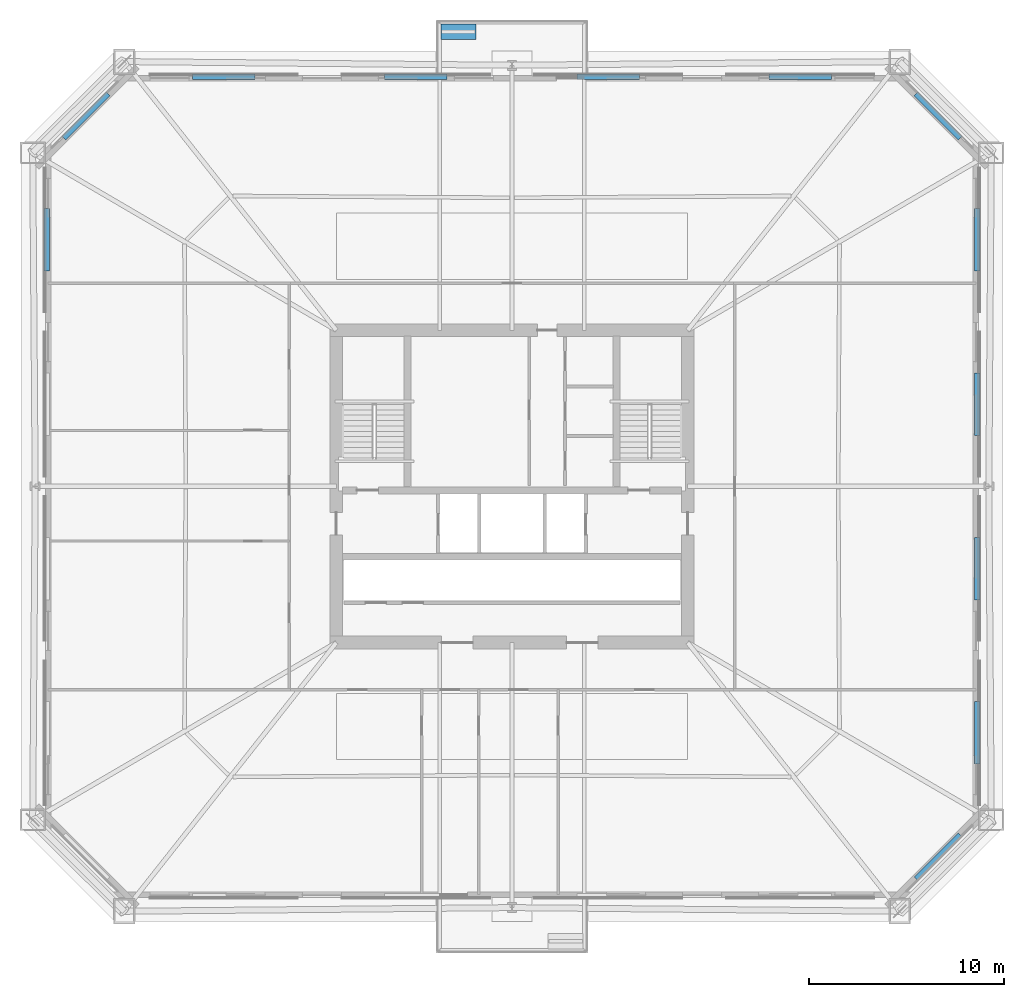
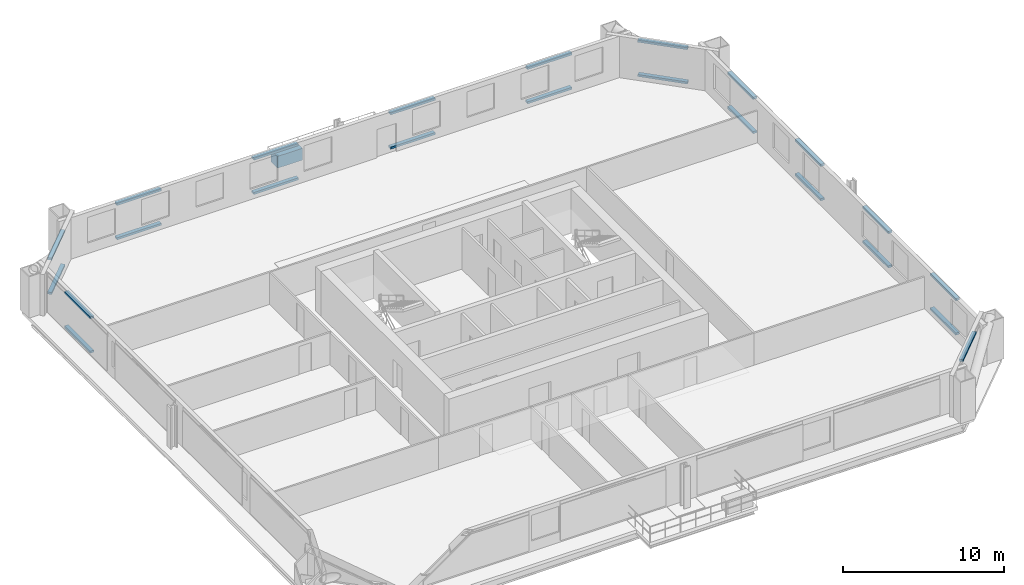
# One storey, part 6 of 8: 24 discrete accessories.
"""IFC4 building model written with IfcOpenShell, lengths in metres."""

from ifc_helpers import new_model, si_unit, direction, frame, origin, origin_2d, place, context, subcontext, project, spatial, rectangle, extrude, material, type_object, element, save


model = new_model("IFC4")

# Units and contexts
model_context = context("Model", 3, precision=1e-05, world=origin(), true_north=direction((0.0, 1.0)))
body_context = subcontext(model_context, "Body", "Model", "MODEL_VIEW")
ifc_project = project(units=[si_unit("LENGTHUNIT", "METRE"), si_unit("AREAUNIT", "SQUARE_METRE"), si_unit("VOLUMEUNIT", "CUBIC_METRE"), si_unit("PLANEANGLEUNIT", "RADIAN"), si_unit("MASSUNIT", "GRAM", prefix="KILO")], contexts=[model_context])

# Site, building, storey
site_placement = place(None, origin())
site = spatial("IfcSite", under=ifc_project, at=site_placement, CompositionType="ELEMENT")
building_placement = place(site_placement, origin())
building = spatial("IfcBuilding", under=site, at=building_placement, Name="Caelvoria Tower", CompositionType="ELEMENT")
storey_placement = place(building_placement, frame((0.0, 0.0, 42.39990234375)))
storey = spatial("IfcBuildingStorey", under=building, at=storey_placement, Name="L10", CompositionType="ELEMENT", Elevation=42.39990234375)

# Discrete accessories
ifc_material_1 = material(Name="Anodised Bronze Stainless Bracket", Category="bronze")
discrete_accessory_type_1 = type_object("IfcDiscreteAccessoryType", Name="Solar Screen Outrigger Support Bracket", PredefinedType="BRACKET", material=ifc_material_1)
for number, where, z_axis, x_axis, name in (
    (1, (67.82861328125, 13.021484375, 2.85009765625), (0.0, 0.0, 1.0), (0.707106781187, 0.707106781187, 0.0), "Upper Screen Band Bracket L10-E1-00"),
    (2, (69.846923828125, 19.3701171875, 0.240234375), (0.0, 0.0, 1.0), (0.0, 1.0, 0.0), "Solar Screen Bracket L10-E2-00"),
    (3, (69.846923828125, 19.3701171875, 2.85009765625), (0.0, 0.0, 1.0), (0.0, 1.0, 0.0), "Upper Screen Band Bracket L10-E2-00"),
    (4, (69.846923828125, 27.7900390625, 0.240234375), (0.0, 0.0, 1.0), (0.0, 1.0, 0.0), "Solar Screen Bracket L10-E2-01"),
    (5, (69.846923828125, 27.7900390625, 2.85009765625), (0.0, 0.0, 1.0), (0.0, 1.0, 0.0), "Upper Screen Band Bracket L10-E2-01"),
    (6, (69.846923828125, 36.2099609375, 0.240234375), (0.0, 0.0, 1.0), (0.0, 1.0, 0.0), "Solar Screen Bracket L10-E2-02"),
    (7, (69.846923828125, 36.2099609375, 2.85009765625), (0.0, 0.0, 1.0), (0.0, 1.0, 0.0), "Upper Screen Band Bracket L10-E2-02"),
    (8, (69.846923828125, 44.6298828125, 0.240234375), (0.0, 0.0, 1.0), (0.0, 1.0, 0.0), "Solar Screen Bracket L10-E2-03"),
    (9, (69.846923828125, 44.6298828125, 2.85009765625), (0.0, 0.0, 1.0), (0.0, 1.0, 0.0), "Upper Screen Band Bracket L10-E2-03"),
    (10, (67.82861328125, 50.978515625, 0.240234375), (0.0, 0.0, 1.0), (-0.707106781187, 0.707106781187, 0.0), "Solar Screen Bracket L10-E3-00"),
    (11, (67.82861328125, 50.978515625, 2.85009765625), (0.0, 0.0, 1.0), (-0.707106781187, 0.707106781187, 0.0), "Upper Screen Band Bracket L10-E3-00"),
    (12, (60.767578125, 52.9970703125, 0.240234375), (0.0, 0.0, 1.0), (-1.0, 0.0, 0.0), "Solar Screen Bracket L10-E4-00"),
    (13, (60.767578125, 52.9970703125, 2.85009765625), (0.0, 0.0, 1.0), (-1.0, 0.0, 0.0), "Upper Screen Band Bracket L10-E4-00"),
    (14, (50.922607421875, 52.9970703125, 0.240234375), (0.0, 0.0, 1.0), (-1.0, 0.0, 0.0), "Solar Screen Bracket L10-E4-01"),
    (15, (50.922607421875, 52.9970703125, 2.85009765625), (0.0, 0.0, 1.0), (-1.0, 0.0, 0.0), "Upper Screen Band Bracket L10-E4-01"),
    (16, (41.077392578125, 52.9970703125, 0.240234375), (0.0, 0.0, 1.0), (-1.0, 0.0, 0.0), "Solar Screen Bracket L10-E4-02"),
    (17, (41.077392578125, 52.9970703125, 2.85009765625), (0.0, 0.0, 1.0), (-1.0, 0.0, 0.0), "Upper Screen Band Bracket L10-E4-02"),
    (18, (31.232421875, 52.9970703125, 0.240234375), (0.0, 0.0, 1.0), (-1.0, 0.0, 0.0), "Solar Screen Bracket L10-E4-03"),
    (19, (31.232421875, 52.9970703125, 2.85009765625), (0.0, 0.0, 1.0), (-1.0, 0.0, 0.0), "Upper Screen Band Bracket L10-E4-03"),
    (20, (24.17138671875, 50.978515625, 0.240234375), (0.0, 0.0, 1.0), (-0.707106781187, -0.707106781187, 0.0), "Solar Screen Bracket L10-E5-00"),
    (21, (24.17138671875, 50.978515625, 2.85009765625), (0.0, 0.0, 1.0), (-0.707106781187, -0.707106781187, 0.0), "Upper Screen Band Bracket L10-E5-00"),
    (22, (22.153076171875, 44.6298828125, 0.240234375), (0.0, 0.0, 1.0), (0.0, -1.0, 0.0), "Solar Screen Bracket L10-E6-00"),
    (23, (22.153076171875, 44.6298828125, 2.85009765625), (0.0, 0.0, 1.0), (0.0, -1.0, 0.0), "Upper Screen Band Bracket L10-E6-00"),
):
    element("IfcDiscreteAccessory", number, at=place(storey_placement, frame(where, z_axis=z_axis, x_axis=x_axis)), inside=storey, type_object=discrete_accessory_type_1, Name=name, PredefinedType="BRACKET", context=body_context, shape_type="SweptSolid", body=[
        extrude(rectangle(XDim=3.199951171875, YDim=0.280029296875, at=origin_2d()), origin(), (0.0, 0.0, 1.0), 0.159912109375),
    ])
ifc_material_2 = material(Name="Bronze-Clad Concrete C40/50 Planter Vessel", Category="concrete")
discrete_accessory_type_2 = type_object("IfcDiscreteAccessoryType", Name="Tree Balcony Structural Planter Vessel PLANTER", PredefinedType="USERDEFINED", material=ifc_material_2)
discrete_accessory_placement = place(storey_placement, frame((43.25, 55.300048828125, 0.000244140625), z_axis=(0.0, 0.0, 1.0), x_axis=(1.0, 0.0, 0.0)))
element("IfcDiscreteAccessory", 24, at=discrete_accessory_placement, inside=storey, type_object=discrete_accessory_type_2, Name="Tree Balcony Planter TB-L10-N", ObjectType="PLANTER", PredefinedType="USERDEFINED", context=body_context, shape_type="SweptSolid", body=[
    extrude(rectangle(XDim=1.800048828125, YDim=0.800048828125, at=origin_2d()), origin(), (0.0, 0.0, 1.0), 0.89990234375),
])

save(model, "model.ifc")
